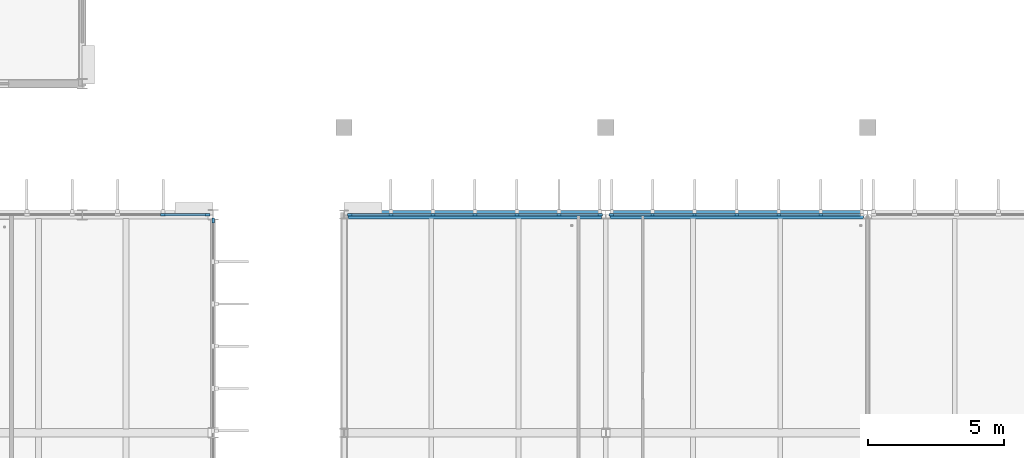
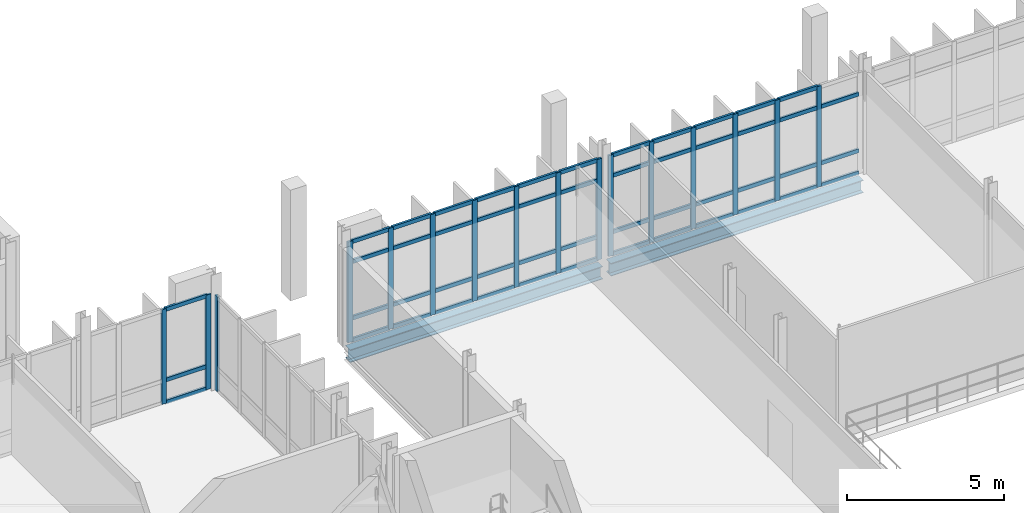
# One storey, part 30 of 110: 66 members, 2 beams, 4 elements without a shape of their own.
"""IFC4 building model written with IfcOpenShell, lengths in metres."""

from ifc_helpers import new_model, si_unit, direction, frame, origin, origin_2d, place, context, subcontext, project, spatial, rectangle, i_section, extrude, material, material_profile, profile_set, type_object, element, aggregate, save


model = new_model("IFC4")

# Units and contexts
model_context = context("Model", 3, precision=1e-05, world=origin(), true_north=direction((0.0, 1.0)))
body_context = subcontext(model_context, "Body", "Model", "MODEL_VIEW")
ifc_project = project(units=[si_unit("LENGTHUNIT", "METRE"), si_unit("AREAUNIT", "SQUARE_METRE"), si_unit("VOLUMEUNIT", "CUBIC_METRE"), si_unit("PLANEANGLEUNIT", "RADIAN"), si_unit("MASSUNIT", "GRAM", prefix="KILO")], contexts=[model_context])

# Site, building, storey
site_placement = place(None, origin())
site = spatial("IfcSite", under=ifc_project, at=site_placement, CompositionType="ELEMENT")
building_placement = place(site_placement, origin())
building = spatial("IfcBuilding", under=site, at=building_placement, Name="Dunescarp Central Library", CompositionType="ELEMENT")
storey_placement = place(building_placement, frame((0.0, 0.0, 9.60009765625)))
storey = spatial("IfcBuildingStorey", under=building, at=storey_placement, Name="L02", CompositionType="ELEMENT", Elevation=9.60009765625)

# Curtain wall, members
ifc_material_1 = material(Name="Marine-grade anodised aluminium 6063-T6", Category="aluminium")
curtain_wall_type = type_object("IfcCurtainWallType", Name="ARC-CW-STICK", PredefinedType="NOTDEFINED", material=ifc_material_1)
curtain_wall_1_placement = place(storey_placement, origin())
curtain_wall_1 = element("IfcCurtainWall", 1, at=curtain_wall_1_placement, inside=storey, type_object=curtain_wall_type, Name="L02 curtain wall CW-V1-014", PredefinedType="NOTDEFINED")
ifc_material_profile_1 = material_profile(ifc_material_1, rectangle(XDim=0.080078125, YDim=0.179931640625, at=origin_2d()), Name="AL 80x180")
ifc_profile_set_1 = profile_set([ifc_material_profile_1], Name="Marine-grade anodised aluminium 6063-T6")
member_type_1 = type_object("IfcMemberType", Name="ARC-CWM-180", PredefinedType="MULLION", material=ifc_profile_set_1)
member_1_placement = place(storey_placement, frame((31.7607421875, 36.800048828125, 0.0), z_axis=(0.0, 0.0, 1.0), x_axis=(0.0, 1.0, 0.0)))
member_1 = element("IfcMember", 2, at=member_1_placement, type_object=member_type_1, Name="CW-V1-014 mullion 7", PredefinedType="MULLION", context=body_context, shape_type="SweptSolid", body=[
    extrude(rectangle(XDim=0.080078125, YDim=0.179931640625, at=origin_2d()), origin(), (0.0, 0.0, 1.0), 3.684814453125),
])
member_2_placement = place(storey_placement, frame((33.385009765625, 36.800048828125, 0.0), z_axis=(0.0, 0.0, 1.0), x_axis=(0.0, 1.0, 0.0)))
member_2 = element("IfcMember", 3, at=member_2_placement, type_object=member_type_1, Name="CW-V1-014 mullion 8", PredefinedType="MULLION", context=body_context, shape_type="SweptSolid", body=[
    extrude(rectangle(XDim=0.080078125, YDim=0.179931640625, at=origin_2d()), origin(), (0.0, 0.0, 1.0), 3.684814453125),
])

# Curtain wall, member
curtain_wall_2_placement = place(storey_placement, origin())
curtain_wall_2 = element("IfcCurtainWall", 4, at=curtain_wall_2_placement, inside=storey, type_object=curtain_wall_type, Name="L02 curtain wall CW-V1-017", PredefinedType="NOTDEFINED")
member_3_placement = place(storey_placement, frame((33.60009765625, 36.5849609375, 0.0), z_axis=(0.0, 0.0, 1.0), x_axis=(1.0, 0.0, 0.0)))
member_3 = element("IfcMember", 5, at=member_3_placement, type_object=member_type_1, Name="CW-V1-017 mullion 1", PredefinedType="MULLION", context=body_context, shape_type="SweptSolid", body=[
    extrude(rectangle(XDim=0.080078125, YDim=0.179931640625, at=origin_2d()), origin(), (0.0, 0.0, 1.0), 3.684814453125),
])
aggregate(curtain_wall_2, [member_3])

# Curtain wall, members
curtain_wall_3_placement = place(storey_placement, origin())
curtain_wall_3 = element("IfcCurtainWall", 6, at=curtain_wall_3_placement, inside=storey, type_object=curtain_wall_type, Name="L02 curtain wall CW-V2-057", PredefinedType="NOTDEFINED")
member_4_placement = place(storey_placement, frame((38.614990234375, 36.800048828125, 0.0), z_axis=(0.0, 0.0, 1.0), x_axis=(0.0, 1.0, 0.0)))
member_4 = element("IfcMember", 7, at=member_4_placement, type_object=member_type_1, Name="CW-V2-057 mullion 1", PredefinedType="MULLION", context=body_context, shape_type="SweptSolid", body=[
    extrude(rectangle(XDim=0.080078125, YDim=0.179931640625, at=origin_2d()), origin(), (0.0, 0.0, 1.0), 3.9248046875),
])
member_5_placement = place(storey_placement, frame((40.11669921875, 36.800048828125, 0.0), z_axis=(0.0, 0.0, 1.0), x_axis=(0.0, 1.0, 0.0)))
member_5 = element("IfcMember", 8, at=member_5_placement, type_object=member_type_1, Name="CW-V2-057 mullion 2", PredefinedType="MULLION", context=body_context, shape_type="SweptSolid", body=[
    extrude(rectangle(XDim=0.080078125, YDim=0.179931640625, at=origin_2d()), origin(), (0.0, 0.0, 1.0), 3.9248046875),
])
member_6_placement = place(storey_placement, frame((41.658447265625, 36.800048828125, 0.0), z_axis=(0.0, 0.0, 1.0), x_axis=(0.0, 1.0, 0.0)))
member_6 = element("IfcMember", 9, at=member_6_placement, type_object=member_type_1, Name="CW-V2-057 mullion 3", PredefinedType="MULLION", context=body_context, shape_type="SweptSolid", body=[
    extrude(rectangle(XDim=0.080078125, YDim=0.179931640625, at=origin_2d()), origin(), (0.0, 0.0, 1.0), 3.9248046875),
])
member_7_placement = place(storey_placement, frame((43.199951171875, 36.800048828125, 0.0), z_axis=(0.0, 0.0, 1.0), x_axis=(0.0, 1.0, 0.0)))
member_7 = element("IfcMember", 10, at=member_7_placement, type_object=member_type_1, Name="CW-V2-057 mullion 4", PredefinedType="MULLION", context=body_context, shape_type="SweptSolid", body=[
    extrude(rectangle(XDim=0.080078125, YDim=0.179931640625, at=origin_2d()), origin(), (0.0, 0.0, 1.0), 3.9248046875),
])
member_8_placement = place(storey_placement, frame((44.74169921875, 36.800048828125, 0.0), z_axis=(0.0, 0.0, 1.0), x_axis=(0.0, 1.0, 0.0)))
member_8 = element("IfcMember", 11, at=member_8_placement, type_object=member_type_1, Name="CW-V2-057 mullion 5", PredefinedType="MULLION", context=body_context, shape_type="SweptSolid", body=[
    extrude(rectangle(XDim=0.080078125, YDim=0.179931640625, at=origin_2d()), origin(), (0.0, 0.0, 1.0), 3.9248046875),
])
member_9_placement = place(storey_placement, frame((46.283447265625, 36.800048828125, 0.0), z_axis=(0.0, 0.0, 1.0), x_axis=(0.0, 1.0, 0.0)))
member_9 = element("IfcMember", 12, at=member_9_placement, type_object=member_type_1, Name="CW-V2-057 mullion 6", PredefinedType="MULLION", context=body_context, shape_type="SweptSolid", body=[
    extrude(rectangle(XDim=0.080078125, YDim=0.179931640625, at=origin_2d()), origin(), (0.0, 0.0, 1.0), 3.9248046875),
])
member_10_placement = place(storey_placement, frame((47.784912109375, 36.800048828125, 0.0), z_axis=(0.0, 0.0, 1.0), x_axis=(0.0, 1.0, 0.0)))
member_10 = element("IfcMember", 13, at=member_10_placement, type_object=member_type_1, Name="CW-V2-057 mullion 7", PredefinedType="MULLION", context=body_context, shape_type="SweptSolid", body=[
    extrude(rectangle(XDim=0.080078125, YDim=0.179931640625, at=origin_2d()), origin(), (0.0, 0.0, 1.0), 3.9248046875),
])

curtain_wall_4_placement = place(storey_placement, origin())
curtain_wall_4 = element("IfcCurtainWall", 14, at=curtain_wall_4_placement, inside=storey, type_object=curtain_wall_type, Name="L02 curtain wall CW-V2-058", PredefinedType="NOTDEFINED")
member_11_placement = place(storey_placement, frame((48.215087890625, 36.800048828125, 0.0), z_axis=(0.0, 0.0, 1.0), x_axis=(0.0, 1.0, 0.0)))
member_11 = element("IfcMember", 15, at=member_11_placement, type_object=member_type_1, Name="CW-V2-058 mullion 1", PredefinedType="MULLION", context=body_context, shape_type="SweptSolid", body=[
    extrude(rectangle(XDim=0.080078125, YDim=0.179931640625, at=origin_2d()), origin(), (0.0, 0.0, 1.0), 3.9248046875),
])
member_12_placement = place(storey_placement, frame((49.716552734375, 36.800048828125, 0.0), z_axis=(0.0, 0.0, 1.0), x_axis=(0.0, 1.0, 0.0)))
member_12 = element("IfcMember", 16, at=member_12_placement, type_object=member_type_1, Name="CW-V2-058 mullion 2", PredefinedType="MULLION", context=body_context, shape_type="SweptSolid", body=[
    extrude(rectangle(XDim=0.080078125, YDim=0.179931640625, at=origin_2d()), origin(), (0.0, 0.0, 1.0), 3.9248046875),
])
member_13_placement = place(storey_placement, frame((51.25830078125, 36.800048828125, 0.0), z_axis=(0.0, 0.0, 1.0), x_axis=(0.0, 1.0, 0.0)))
member_13 = element("IfcMember", 17, at=member_13_placement, type_object=member_type_1, Name="CW-V2-058 mullion 3", PredefinedType="MULLION", context=body_context, shape_type="SweptSolid", body=[
    extrude(rectangle(XDim=0.080078125, YDim=0.179931640625, at=origin_2d()), origin(), (0.0, 0.0, 1.0), 3.9248046875),
])
member_14_placement = place(storey_placement, frame((52.800048828125, 36.800048828125, 0.0), z_axis=(0.0, 0.0, 1.0), x_axis=(0.0, 1.0, 0.0)))
member_14 = element("IfcMember", 18, at=member_14_placement, type_object=member_type_1, Name="CW-V2-058 mullion 4", PredefinedType="MULLION", context=body_context, shape_type="SweptSolid", body=[
    extrude(rectangle(XDim=0.080078125, YDim=0.179931640625, at=origin_2d()), origin(), (0.0, 0.0, 1.0), 3.9248046875),
])
member_15_placement = place(storey_placement, frame((54.341552734375, 36.800048828125, 0.0), z_axis=(0.0, 0.0, 1.0), x_axis=(0.0, 1.0, 0.0)))
member_15 = element("IfcMember", 19, at=member_15_placement, type_object=member_type_1, Name="CW-V2-058 mullion 5", PredefinedType="MULLION", context=body_context, shape_type="SweptSolid", body=[
    extrude(rectangle(XDim=0.080078125, YDim=0.179931640625, at=origin_2d()), origin(), (0.0, 0.0, 1.0), 3.9248046875),
])
member_16_placement = place(storey_placement, frame((55.88330078125, 36.800048828125, 0.0), z_axis=(0.0, 0.0, 1.0), x_axis=(0.0, 1.0, 0.0)))
member_16 = element("IfcMember", 20, at=member_16_placement, type_object=member_type_1, Name="CW-V2-058 mullion 6", PredefinedType="MULLION", context=body_context, shape_type="SweptSolid", body=[
    extrude(rectangle(XDim=0.080078125, YDim=0.179931640625, at=origin_2d()), origin(), (0.0, 0.0, 1.0), 3.9248046875),
])

# Member
ifc_material_profile_2 = material_profile(ifc_material_1, rectangle(XDim=0.080078125, YDim=0.14990234375, at=origin_2d()), Name="AL 80x150")
ifc_profile_set_2 = profile_set([ifc_material_profile_2], Name="Marine-grade anodised aluminium 6063-T6")
member_type_2 = type_object("IfcMemberType", Name="ARC-CWT-150", PredefinedType="USERDEFINED", material=ifc_profile_set_2)
member_17_placement = place(storey_placement, frame((31.80078125, 36.800048828125, 0.039794921875), z_axis=(1.0, 0.0, 0.0), x_axis=(0.0, 1.0, 0.0)))
member_17 = element("IfcMember", 21, at=member_17_placement, type_object=member_type_2, Name="CW-V1-014 transom 7.1", ObjectType="TRANSOM", PredefinedType="USERDEFINED", context=body_context, shape_type="SweptSolid", body=[
    extrude(rectangle(XDim=0.080078125, YDim=0.14990234375, at=origin_2d()), origin(), (0.0, 0.0, 1.0), 1.544189453125),
])

member_18_placement = place(storey_placement, frame((31.80078125, 36.800048828125, 0.89990234375), z_axis=(1.0, 0.0, 0.0), x_axis=(0.0, 1.0, 0.0)))
member_18 = element("IfcMember", 22, at=member_18_placement, type_object=member_type_2, Name="CW-V1-014 transom 7.2", ObjectType="TRANSOM", PredefinedType="USERDEFINED", context=body_context, shape_type="SweptSolid", body=[
    extrude(rectangle(XDim=0.080078125, YDim=0.14990234375, at=origin_2d()), origin(), (0.0, 0.0, 1.0), 1.544189453125),
])

member_19_placement = place(storey_placement, frame((31.80078125, 36.800048828125, 3.64501953125), z_axis=(1.0, 0.0, 0.0), x_axis=(0.0, 1.0, 0.0)))
member_19 = element("IfcMember", 23, at=member_19_placement, type_object=member_type_2, Name="CW-V1-014 transom 7.3", ObjectType="TRANSOM", PredefinedType="USERDEFINED", context=body_context, shape_type="SweptSolid", body=[
    extrude(rectangle(XDim=0.080078125, YDim=0.14990234375, at=origin_2d()), origin(), (0.0, 0.0, 1.0), 1.544189453125),
])

aggregate(curtain_wall_1, [member_1, member_2, member_17, member_18, member_19])

member_20_placement = place(storey_placement, frame((38.655029296875, 36.800048828125, 0.039794921875), z_axis=(1.0, 0.0, 0.0), x_axis=(0.0, 1.0, 0.0)))
member_20 = element("IfcMember", 24, at=member_20_placement, type_object=member_type_2, Name="CW-V2-057 transom 1.1", ObjectType="TRANSOM", PredefinedType="USERDEFINED", context=body_context, shape_type="SweptSolid", body=[
    extrude(rectangle(XDim=0.080078125, YDim=0.14990234375, at=origin_2d()), origin(), (0.0, 0.0, 1.0), 1.421630859375),
])

member_21_placement = place(storey_placement, frame((38.655029296875, 36.800048828125, 0.89990234375), z_axis=(1.0, 0.0, 0.0), x_axis=(0.0, 1.0, 0.0)))
member_21 = element("IfcMember", 25, at=member_21_placement, type_object=member_type_2, Name="CW-V2-057 transom 1.2", ObjectType="TRANSOM", PredefinedType="USERDEFINED", context=body_context, shape_type="SweptSolid", body=[
    extrude(rectangle(XDim=0.080078125, YDim=0.14990234375, at=origin_2d()), origin(), (0.0, 0.0, 1.0), 1.421630859375),
])

member_22_placement = place(storey_placement, frame((38.655029296875, 36.800048828125, 3.099853515625), z_axis=(1.0, 0.0, 0.0), x_axis=(0.0, 1.0, 0.0)))
member_22 = element("IfcMember", 26, at=member_22_placement, type_object=member_type_2, Name="CW-V2-057 transom 1.3", ObjectType="TRANSOM", PredefinedType="USERDEFINED", context=body_context, shape_type="SweptSolid", body=[
    extrude(rectangle(XDim=0.080078125, YDim=0.14990234375, at=origin_2d()), origin(), (0.0, 0.0, 1.0), 1.421630859375),
])

member_23_placement = place(storey_placement, frame((38.655029296875, 36.800048828125, 3.885009765625), z_axis=(1.0, 0.0, 0.0), x_axis=(0.0, 1.0, 0.0)))
member_23 = element("IfcMember", 27, at=member_23_placement, type_object=member_type_2, Name="CW-V2-057 transom 1.4", ObjectType="TRANSOM", PredefinedType="USERDEFINED", context=body_context, shape_type="SweptSolid", body=[
    extrude(rectangle(XDim=0.080078125, YDim=0.14990234375, at=origin_2d()), origin(), (0.0, 0.0, 1.0), 1.421630859375),
])

member_24_placement = place(storey_placement, frame((40.15673828125, 36.800048828125, 0.039794921875), z_axis=(1.0, 0.0, 0.0), x_axis=(0.0, 1.0, 0.0)))
member_24 = element("IfcMember", 28, at=member_24_placement, type_object=member_type_2, Name="CW-V2-057 transom 2.1", ObjectType="TRANSOM", PredefinedType="USERDEFINED", context=body_context, shape_type="SweptSolid", body=[
    extrude(rectangle(XDim=0.080078125, YDim=0.14990234375, at=origin_2d()), origin(), (0.0, 0.0, 1.0), 1.461669921875),
])

member_25_placement = place(storey_placement, frame((40.15673828125, 36.800048828125, 0.89990234375), z_axis=(1.0, 0.0, 0.0), x_axis=(0.0, 1.0, 0.0)))
member_25 = element("IfcMember", 29, at=member_25_placement, type_object=member_type_2, Name="CW-V2-057 transom 2.2", ObjectType="TRANSOM", PredefinedType="USERDEFINED", context=body_context, shape_type="SweptSolid", body=[
    extrude(rectangle(XDim=0.080078125, YDim=0.14990234375, at=origin_2d()), origin(), (0.0, 0.0, 1.0), 1.461669921875),
])

member_26_placement = place(storey_placement, frame((40.15673828125, 36.800048828125, 3.099853515625), z_axis=(1.0, 0.0, 0.0), x_axis=(0.0, 1.0, 0.0)))
member_26 = element("IfcMember", 30, at=member_26_placement, type_object=member_type_2, Name="CW-V2-057 transom 2.3", ObjectType="TRANSOM", PredefinedType="USERDEFINED", context=body_context, shape_type="SweptSolid", body=[
    extrude(rectangle(XDim=0.080078125, YDim=0.14990234375, at=origin_2d()), origin(), (0.0, 0.0, 1.0), 1.461669921875),
])

member_27_placement = place(storey_placement, frame((40.15673828125, 36.800048828125, 3.885009765625), z_axis=(1.0, 0.0, 0.0), x_axis=(0.0, 1.0, 0.0)))
member_27 = element("IfcMember", 31, at=member_27_placement, type_object=member_type_2, Name="CW-V2-057 transom 2.4", ObjectType="TRANSOM", PredefinedType="USERDEFINED", context=body_context, shape_type="SweptSolid", body=[
    extrude(rectangle(XDim=0.080078125, YDim=0.14990234375, at=origin_2d()), origin(), (0.0, 0.0, 1.0), 1.461669921875),
])

member_28_placement = place(storey_placement, frame((41.6982421875, 36.800048828125, 0.039794921875), z_axis=(1.0, 0.0, 0.0), x_axis=(0.0, 1.0, 0.0)))
member_28 = element("IfcMember", 32, at=member_28_placement, type_object=member_type_2, Name="CW-V2-057 transom 3.1", ObjectType="TRANSOM", PredefinedType="USERDEFINED", context=body_context, shape_type="SweptSolid", body=[
    extrude(rectangle(XDim=0.080078125, YDim=0.14990234375, at=origin_2d()), origin(), (0.0, 0.0, 1.0), 1.461669921875),
])

member_29_placement = place(storey_placement, frame((41.6982421875, 36.800048828125, 0.89990234375), z_axis=(1.0, 0.0, 0.0), x_axis=(0.0, 1.0, 0.0)))
member_29 = element("IfcMember", 33, at=member_29_placement, type_object=member_type_2, Name="CW-V2-057 transom 3.2", ObjectType="TRANSOM", PredefinedType="USERDEFINED", context=body_context, shape_type="SweptSolid", body=[
    extrude(rectangle(XDim=0.080078125, YDim=0.14990234375, at=origin_2d()), origin(), (0.0, 0.0, 1.0), 1.461669921875),
])

member_30_placement = place(storey_placement, frame((41.6982421875, 36.800048828125, 3.099853515625), z_axis=(1.0, 0.0, 0.0), x_axis=(0.0, 1.0, 0.0)))
member_30 = element("IfcMember", 34, at=member_30_placement, type_object=member_type_2, Name="CW-V2-057 transom 3.3", ObjectType="TRANSOM", PredefinedType="USERDEFINED", context=body_context, shape_type="SweptSolid", body=[
    extrude(rectangle(XDim=0.080078125, YDim=0.14990234375, at=origin_2d()), origin(), (0.0, 0.0, 1.0), 1.461669921875),
])

member_31_placement = place(storey_placement, frame((41.6982421875, 36.800048828125, 3.885009765625), z_axis=(1.0, 0.0, 0.0), x_axis=(0.0, 1.0, 0.0)))
member_31 = element("IfcMember", 35, at=member_31_placement, type_object=member_type_2, Name="CW-V2-057 transom 3.4", ObjectType="TRANSOM", PredefinedType="USERDEFINED", context=body_context, shape_type="SweptSolid", body=[
    extrude(rectangle(XDim=0.080078125, YDim=0.14990234375, at=origin_2d()), origin(), (0.0, 0.0, 1.0), 1.461669921875),
])

member_32_placement = place(storey_placement, frame((43.239990234375, 36.800048828125, 0.039794921875), z_axis=(1.0, 0.0, 0.0), x_axis=(0.0, 1.0, 0.0)))
member_32 = element("IfcMember", 36, at=member_32_placement, type_object=member_type_2, Name="CW-V2-057 transom 4.1", ObjectType="TRANSOM", PredefinedType="USERDEFINED", context=body_context, shape_type="SweptSolid", body=[
    extrude(rectangle(XDim=0.080078125, YDim=0.14990234375, at=origin_2d()), origin(), (0.0, 0.0, 1.0), 1.461669921875),
])

member_33_placement = place(storey_placement, frame((43.239990234375, 36.800048828125, 0.89990234375), z_axis=(1.0, 0.0, 0.0), x_axis=(0.0, 1.0, 0.0)))
member_33 = element("IfcMember", 37, at=member_33_placement, type_object=member_type_2, Name="CW-V2-057 transom 4.2", ObjectType="TRANSOM", PredefinedType="USERDEFINED", context=body_context, shape_type="SweptSolid", body=[
    extrude(rectangle(XDim=0.080078125, YDim=0.14990234375, at=origin_2d()), origin(), (0.0, 0.0, 1.0), 1.461669921875),
])

member_34_placement = place(storey_placement, frame((43.239990234375, 36.800048828125, 3.099853515625), z_axis=(1.0, 0.0, 0.0), x_axis=(0.0, 1.0, 0.0)))
member_34 = element("IfcMember", 38, at=member_34_placement, type_object=member_type_2, Name="CW-V2-057 transom 4.3", ObjectType="TRANSOM", PredefinedType="USERDEFINED", context=body_context, shape_type="SweptSolid", body=[
    extrude(rectangle(XDim=0.080078125, YDim=0.14990234375, at=origin_2d()), origin(), (0.0, 0.0, 1.0), 1.461669921875),
])

member_35_placement = place(storey_placement, frame((43.239990234375, 36.800048828125, 3.885009765625), z_axis=(1.0, 0.0, 0.0), x_axis=(0.0, 1.0, 0.0)))
member_35 = element("IfcMember", 39, at=member_35_placement, type_object=member_type_2, Name="CW-V2-057 transom 4.4", ObjectType="TRANSOM", PredefinedType="USERDEFINED", context=body_context, shape_type="SweptSolid", body=[
    extrude(rectangle(XDim=0.080078125, YDim=0.14990234375, at=origin_2d()), origin(), (0.0, 0.0, 1.0), 1.461669921875),
])

member_36_placement = place(storey_placement, frame((44.78173828125, 36.800048828125, 0.039794921875), z_axis=(1.0, 0.0, 0.0), x_axis=(0.0, 1.0, 0.0)))
member_36 = element("IfcMember", 40, at=member_36_placement, type_object=member_type_2, Name="CW-V2-057 transom 5.1", ObjectType="TRANSOM", PredefinedType="USERDEFINED", context=body_context, shape_type="SweptSolid", body=[
    extrude(rectangle(XDim=0.080078125, YDim=0.14990234375, at=origin_2d()), origin(), (0.0, 0.0, 1.0), 1.461669921875),
])

member_37_placement = place(storey_placement, frame((44.78173828125, 36.800048828125, 0.89990234375), z_axis=(1.0, 0.0, 0.0), x_axis=(0.0, 1.0, 0.0)))
member_37 = element("IfcMember", 41, at=member_37_placement, type_object=member_type_2, Name="CW-V2-057 transom 5.2", ObjectType="TRANSOM", PredefinedType="USERDEFINED", context=body_context, shape_type="SweptSolid", body=[
    extrude(rectangle(XDim=0.080078125, YDim=0.14990234375, at=origin_2d()), origin(), (0.0, 0.0, 1.0), 1.461669921875),
])

member_38_placement = place(storey_placement, frame((44.78173828125, 36.800048828125, 3.099853515625), z_axis=(1.0, 0.0, 0.0), x_axis=(0.0, 1.0, 0.0)))
member_38 = element("IfcMember", 42, at=member_38_placement, type_object=member_type_2, Name="CW-V2-057 transom 5.3", ObjectType="TRANSOM", PredefinedType="USERDEFINED", context=body_context, shape_type="SweptSolid", body=[
    extrude(rectangle(XDim=0.080078125, YDim=0.14990234375, at=origin_2d()), origin(), (0.0, 0.0, 1.0), 1.461669921875),
])

member_39_placement = place(storey_placement, frame((44.78173828125, 36.800048828125, 3.885009765625), z_axis=(1.0, 0.0, 0.0), x_axis=(0.0, 1.0, 0.0)))
member_39 = element("IfcMember", 43, at=member_39_placement, type_object=member_type_2, Name="CW-V2-057 transom 5.4", ObjectType="TRANSOM", PredefinedType="USERDEFINED", context=body_context, shape_type="SweptSolid", body=[
    extrude(rectangle(XDim=0.080078125, YDim=0.14990234375, at=origin_2d()), origin(), (0.0, 0.0, 1.0), 1.461669921875),
])

member_40_placement = place(storey_placement, frame((46.3232421875, 36.800048828125, 0.039794921875), z_axis=(1.0, 0.0, 0.0), x_axis=(0.0, 1.0, 0.0)))
member_40 = element("IfcMember", 44, at=member_40_placement, type_object=member_type_2, Name="CW-V2-057 transom 6.1", ObjectType="TRANSOM", PredefinedType="USERDEFINED", context=body_context, shape_type="SweptSolid", body=[
    extrude(rectangle(XDim=0.080078125, YDim=0.14990234375, at=origin_2d()), origin(), (0.0, 0.0, 1.0), 1.421875),
])

member_41_placement = place(storey_placement, frame((46.3232421875, 36.800048828125, 0.89990234375), z_axis=(1.0, 0.0, 0.0), x_axis=(0.0, 1.0, 0.0)))
member_41 = element("IfcMember", 45, at=member_41_placement, type_object=member_type_2, Name="CW-V2-057 transom 6.2", ObjectType="TRANSOM", PredefinedType="USERDEFINED", context=body_context, shape_type="SweptSolid", body=[
    extrude(rectangle(XDim=0.080078125, YDim=0.14990234375, at=origin_2d()), origin(), (0.0, 0.0, 1.0), 1.421875),
])

member_42_placement = place(storey_placement, frame((46.3232421875, 36.800048828125, 3.099853515625), z_axis=(1.0, 0.0, 0.0), x_axis=(0.0, 1.0, 0.0)))
member_42 = element("IfcMember", 46, at=member_42_placement, type_object=member_type_2, Name="CW-V2-057 transom 6.3", ObjectType="TRANSOM", PredefinedType="USERDEFINED", context=body_context, shape_type="SweptSolid", body=[
    extrude(rectangle(XDim=0.080078125, YDim=0.14990234375, at=origin_2d()), origin(), (0.0, 0.0, 1.0), 1.421875),
])

member_43_placement = place(storey_placement, frame((46.3232421875, 36.800048828125, 3.885009765625), z_axis=(1.0, 0.0, 0.0), x_axis=(0.0, 1.0, 0.0)))
member_43 = element("IfcMember", 47, at=member_43_placement, type_object=member_type_2, Name="CW-V2-057 transom 6.4", ObjectType="TRANSOM", PredefinedType="USERDEFINED", context=body_context, shape_type="SweptSolid", body=[
    extrude(rectangle(XDim=0.080078125, YDim=0.14990234375, at=origin_2d()), origin(), (0.0, 0.0, 1.0), 1.421875),
])

aggregate(curtain_wall_3, [member_4, member_5, member_6, member_7, member_8, member_9, member_10, member_20, member_21, member_22, member_23, member_24, member_25, member_26, member_27, member_28, member_29, member_30, member_31, member_32, member_33, member_34, member_35, member_36, member_37, member_38, member_39, member_40, member_41, member_42, member_43])

member_44_placement = place(storey_placement, frame((48.2548828125, 36.800048828125, 0.039794921875), z_axis=(1.0, 0.0, 0.0), x_axis=(0.0, 1.0, 0.0)))
member_44 = element("IfcMember", 48, at=member_44_placement, type_object=member_type_2, Name="CW-V2-058 transom 1.1", ObjectType="TRANSOM", PredefinedType="USERDEFINED", context=body_context, shape_type="SweptSolid", body=[
    extrude(rectangle(XDim=0.080078125, YDim=0.14990234375, at=origin_2d()), origin(), (0.0, 0.0, 1.0), 1.421875),
])

member_45_placement = place(storey_placement, frame((48.2548828125, 36.800048828125, 0.89990234375), z_axis=(1.0, 0.0, 0.0), x_axis=(0.0, 1.0, 0.0)))
member_45 = element("IfcMember", 49, at=member_45_placement, type_object=member_type_2, Name="CW-V2-058 transom 1.2", ObjectType="TRANSOM", PredefinedType="USERDEFINED", context=body_context, shape_type="SweptSolid", body=[
    extrude(rectangle(XDim=0.080078125, YDim=0.14990234375, at=origin_2d()), origin(), (0.0, 0.0, 1.0), 1.421875),
])

member_46_placement = place(storey_placement, frame((48.2548828125, 36.800048828125, 3.099853515625), z_axis=(1.0, 0.0, 0.0), x_axis=(0.0, 1.0, 0.0)))
member_46 = element("IfcMember", 50, at=member_46_placement, type_object=member_type_2, Name="CW-V2-058 transom 1.3", ObjectType="TRANSOM", PredefinedType="USERDEFINED", context=body_context, shape_type="SweptSolid", body=[
    extrude(rectangle(XDim=0.080078125, YDim=0.14990234375, at=origin_2d()), origin(), (0.0, 0.0, 1.0), 1.421875),
])

member_47_placement = place(storey_placement, frame((48.2548828125, 36.800048828125, 3.885009765625), z_axis=(1.0, 0.0, 0.0), x_axis=(0.0, 1.0, 0.0)))
member_47 = element("IfcMember", 51, at=member_47_placement, type_object=member_type_2, Name="CW-V2-058 transom 1.4", ObjectType="TRANSOM", PredefinedType="USERDEFINED", context=body_context, shape_type="SweptSolid", body=[
    extrude(rectangle(XDim=0.080078125, YDim=0.14990234375, at=origin_2d()), origin(), (0.0, 0.0, 1.0), 1.421875),
])

member_48_placement = place(storey_placement, frame((49.756591796875, 36.800048828125, 0.039794921875), z_axis=(1.0, 0.0, 0.0), x_axis=(0.0, 1.0, 0.0)))
member_48 = element("IfcMember", 52, at=member_48_placement, type_object=member_type_2, Name="CW-V2-058 transom 2.1", ObjectType="TRANSOM", PredefinedType="USERDEFINED", context=body_context, shape_type="SweptSolid", body=[
    extrude(rectangle(XDim=0.080078125, YDim=0.14990234375, at=origin_2d()), origin(), (0.0, 0.0, 1.0), 1.461669921875),
])

member_49_placement = place(storey_placement, frame((49.756591796875, 36.800048828125, 0.89990234375), z_axis=(1.0, 0.0, 0.0), x_axis=(0.0, 1.0, 0.0)))
member_49 = element("IfcMember", 53, at=member_49_placement, type_object=member_type_2, Name="CW-V2-058 transom 2.2", ObjectType="TRANSOM", PredefinedType="USERDEFINED", context=body_context, shape_type="SweptSolid", body=[
    extrude(rectangle(XDim=0.080078125, YDim=0.14990234375, at=origin_2d()), origin(), (0.0, 0.0, 1.0), 1.461669921875),
])

member_50_placement = place(storey_placement, frame((49.756591796875, 36.800048828125, 3.099853515625), z_axis=(1.0, 0.0, 0.0), x_axis=(0.0, 1.0, 0.0)))
member_50 = element("IfcMember", 54, at=member_50_placement, type_object=member_type_2, Name="CW-V2-058 transom 2.3", ObjectType="TRANSOM", PredefinedType="USERDEFINED", context=body_context, shape_type="SweptSolid", body=[
    extrude(rectangle(XDim=0.080078125, YDim=0.14990234375, at=origin_2d()), origin(), (0.0, 0.0, 1.0), 1.461669921875),
])

member_51_placement = place(storey_placement, frame((49.756591796875, 36.800048828125, 3.885009765625), z_axis=(1.0, 0.0, 0.0), x_axis=(0.0, 1.0, 0.0)))
member_51 = element("IfcMember", 55, at=member_51_placement, type_object=member_type_2, Name="CW-V2-058 transom 2.4", ObjectType="TRANSOM", PredefinedType="USERDEFINED", context=body_context, shape_type="SweptSolid", body=[
    extrude(rectangle(XDim=0.080078125, YDim=0.14990234375, at=origin_2d()), origin(), (0.0, 0.0, 1.0), 1.461669921875),
])

member_52_placement = place(storey_placement, frame((51.29833984375, 36.800048828125, 0.039794921875), z_axis=(1.0, 0.0, 0.0), x_axis=(0.0, 1.0, 0.0)))
member_52 = element("IfcMember", 56, at=member_52_placement, type_object=member_type_2, Name="CW-V2-058 transom 3.1", ObjectType="TRANSOM", PredefinedType="USERDEFINED", context=body_context, shape_type="SweptSolid", body=[
    extrude(rectangle(XDim=0.080078125, YDim=0.14990234375, at=origin_2d()), origin(), (0.0, 0.0, 1.0), 1.461669921875),
])

member_53_placement = place(storey_placement, frame((51.29833984375, 36.800048828125, 0.89990234375), z_axis=(1.0, 0.0, 0.0), x_axis=(0.0, 1.0, 0.0)))
member_53 = element("IfcMember", 57, at=member_53_placement, type_object=member_type_2, Name="CW-V2-058 transom 3.2", ObjectType="TRANSOM", PredefinedType="USERDEFINED", context=body_context, shape_type="SweptSolid", body=[
    extrude(rectangle(XDim=0.080078125, YDim=0.14990234375, at=origin_2d()), origin(), (0.0, 0.0, 1.0), 1.461669921875),
])

member_54_placement = place(storey_placement, frame((51.29833984375, 36.800048828125, 3.099853515625), z_axis=(1.0, 0.0, 0.0), x_axis=(0.0, 1.0, 0.0)))
member_54 = element("IfcMember", 58, at=member_54_placement, type_object=member_type_2, Name="CW-V2-058 transom 3.3", ObjectType="TRANSOM", PredefinedType="USERDEFINED", context=body_context, shape_type="SweptSolid", body=[
    extrude(rectangle(XDim=0.080078125, YDim=0.14990234375, at=origin_2d()), origin(), (0.0, 0.0, 1.0), 1.461669921875),
])

member_55_placement = place(storey_placement, frame((51.29833984375, 36.800048828125, 3.885009765625), z_axis=(1.0, 0.0, 0.0), x_axis=(0.0, 1.0, 0.0)))
member_55 = element("IfcMember", 59, at=member_55_placement, type_object=member_type_2, Name="CW-V2-058 transom 3.4", ObjectType="TRANSOM", PredefinedType="USERDEFINED", context=body_context, shape_type="SweptSolid", body=[
    extrude(rectangle(XDim=0.080078125, YDim=0.14990234375, at=origin_2d()), origin(), (0.0, 0.0, 1.0), 1.461669921875),
])

member_56_placement = place(storey_placement, frame((52.840087890625, 36.800048828125, 0.039794921875), z_axis=(1.0, 0.0, 0.0), x_axis=(0.0, 1.0, 0.0)))
member_56 = element("IfcMember", 60, at=member_56_placement, type_object=member_type_2, Name="CW-V2-058 transom 4.1", ObjectType="TRANSOM", PredefinedType="USERDEFINED", context=body_context, shape_type="SweptSolid", body=[
    extrude(rectangle(XDim=0.080078125, YDim=0.14990234375, at=origin_2d()), origin(), (0.0, 0.0, 1.0), 1.461669921875),
])

member_57_placement = place(storey_placement, frame((52.840087890625, 36.800048828125, 0.89990234375), z_axis=(1.0, 0.0, 0.0), x_axis=(0.0, 1.0, 0.0)))
member_57 = element("IfcMember", 61, at=member_57_placement, type_object=member_type_2, Name="CW-V2-058 transom 4.2", ObjectType="TRANSOM", PredefinedType="USERDEFINED", context=body_context, shape_type="SweptSolid", body=[
    extrude(rectangle(XDim=0.080078125, YDim=0.14990234375, at=origin_2d()), origin(), (0.0, 0.0, 1.0), 1.461669921875),
])

member_58_placement = place(storey_placement, frame((52.840087890625, 36.800048828125, 3.099853515625), z_axis=(1.0, 0.0, 0.0), x_axis=(0.0, 1.0, 0.0)))
member_58 = element("IfcMember", 62, at=member_58_placement, type_object=member_type_2, Name="CW-V2-058 transom 4.3", ObjectType="TRANSOM", PredefinedType="USERDEFINED", context=body_context, shape_type="SweptSolid", body=[
    extrude(rectangle(XDim=0.080078125, YDim=0.14990234375, at=origin_2d()), origin(), (0.0, 0.0, 1.0), 1.461669921875),
])

member_59_placement = place(storey_placement, frame((52.840087890625, 36.800048828125, 3.885009765625), z_axis=(1.0, 0.0, 0.0), x_axis=(0.0, 1.0, 0.0)))
member_59 = element("IfcMember", 63, at=member_59_placement, type_object=member_type_2, Name="CW-V2-058 transom 4.4", ObjectType="TRANSOM", PredefinedType="USERDEFINED", context=body_context, shape_type="SweptSolid", body=[
    extrude(rectangle(XDim=0.080078125, YDim=0.14990234375, at=origin_2d()), origin(), (0.0, 0.0, 1.0), 1.461669921875),
])

member_60_placement = place(storey_placement, frame((54.381591796875, 36.800048828125, 0.039794921875), z_axis=(1.0, 0.0, 0.0), x_axis=(0.0, 1.0, 0.0)))
member_60 = element("IfcMember", 64, at=member_60_placement, type_object=member_type_2, Name="CW-V2-058 transom 5.1", ObjectType="TRANSOM", PredefinedType="USERDEFINED", context=body_context, shape_type="SweptSolid", body=[
    extrude(rectangle(XDim=0.080078125, YDim=0.14990234375, at=origin_2d()), origin(), (0.0, 0.0, 1.0), 1.461669921875),
])

member_61_placement = place(storey_placement, frame((54.381591796875, 36.800048828125, 0.89990234375), z_axis=(1.0, 0.0, 0.0), x_axis=(0.0, 1.0, 0.0)))
member_61 = element("IfcMember", 65, at=member_61_placement, type_object=member_type_2, Name="CW-V2-058 transom 5.2", ObjectType="TRANSOM", PredefinedType="USERDEFINED", context=body_context, shape_type="SweptSolid", body=[
    extrude(rectangle(XDim=0.080078125, YDim=0.14990234375, at=origin_2d()), origin(), (0.0, 0.0, 1.0), 1.461669921875),
])

member_62_placement = place(storey_placement, frame((54.381591796875, 36.800048828125, 3.099853515625), z_axis=(1.0, 0.0, 0.0), x_axis=(0.0, 1.0, 0.0)))
member_62 = element("IfcMember", 66, at=member_62_placement, type_object=member_type_2, Name="CW-V2-058 transom 5.3", ObjectType="TRANSOM", PredefinedType="USERDEFINED", context=body_context, shape_type="SweptSolid", body=[
    extrude(rectangle(XDim=0.080078125, YDim=0.14990234375, at=origin_2d()), origin(), (0.0, 0.0, 1.0), 1.461669921875),
])

member_63_placement = place(storey_placement, frame((54.381591796875, 36.800048828125, 3.885009765625), z_axis=(1.0, 0.0, 0.0), x_axis=(0.0, 1.0, 0.0)))
member_63 = element("IfcMember", 67, at=member_63_placement, type_object=member_type_2, Name="CW-V2-058 transom 5.4", ObjectType="TRANSOM", PredefinedType="USERDEFINED", context=body_context, shape_type="SweptSolid", body=[
    extrude(rectangle(XDim=0.080078125, YDim=0.14990234375, at=origin_2d()), origin(), (0.0, 0.0, 1.0), 1.461669921875),
])

member_64_placement = place(storey_placement, frame((55.92333984375, 36.800048828125, 0.039794921875), z_axis=(1.0, 0.0, 0.0), x_axis=(0.0, 1.0, 0.0)))
member_64 = element("IfcMember", 68, at=member_64_placement, type_object=member_type_2, Name="CW-V2-058 transom 6.1", ObjectType="TRANSOM", PredefinedType="USERDEFINED", context=body_context, shape_type="SweptSolid", body=[
    extrude(rectangle(XDim=0.080078125, YDim=0.14990234375, at=origin_2d()), origin(), (0.0, 0.0, 1.0), 1.421630859375),
])

member_65_placement = place(storey_placement, frame((55.92333984375, 36.800048828125, 0.89990234375), z_axis=(1.0, 0.0, 0.0), x_axis=(0.0, 1.0, 0.0)))
member_65 = element("IfcMember", 69, at=member_65_placement, type_object=member_type_2, Name="CW-V2-058 transom 6.2", ObjectType="TRANSOM", PredefinedType="USERDEFINED", context=body_context, shape_type="SweptSolid", body=[
    extrude(rectangle(XDim=0.080078125, YDim=0.14990234375, at=origin_2d()), origin(), (0.0, 0.0, 1.0), 1.421630859375),
])

member_66_placement = place(storey_placement, frame((55.92333984375, 36.800048828125, 3.099853515625), z_axis=(1.0, 0.0, 0.0), x_axis=(0.0, 1.0, 0.0)))
member_66 = element("IfcMember", 70, at=member_66_placement, type_object=member_type_2, Name="CW-V2-058 transom 6.3", ObjectType="TRANSOM", PredefinedType="USERDEFINED", context=body_context, shape_type="SweptSolid", body=[
    extrude(rectangle(XDim=0.080078125, YDim=0.14990234375, at=origin_2d()), origin(), (0.0, 0.0, 1.0), 1.421630859375),
])

aggregate(curtain_wall_4, [member_11, member_12, member_13, member_14, member_15, member_16, member_44, member_45, member_46, member_47, member_48, member_49, member_50, member_51, member_52, member_53, member_54, member_55, member_56, member_57, member_58, member_59, member_60, member_61, member_62, member_63, member_64, member_65, member_66])

# Beams
ifc_material_2 = material(Name="Steel S355JR", Category="steel")
ifc_material_profile_3 = material_profile(ifc_material_2, i_section(OverallWidth=0.300048828125, OverallDepth=0.5, WebThickness=0.014404296875, FlangeThickness=0.028076171875, at=origin_2d()), Name="HEB 500")
ifc_profile_set_3 = profile_set([ifc_material_profile_3], Name="Steel S355JR")
beam_type = type_object("IfcBeamType", Name="STR-BM-HEB500", PredefinedType="BEAM", material=ifc_profile_set_3)
for number, where, z_axis, x_axis, name in (
    (71, (38.552001953125, 36.800048828125, -0.460205078125), (1.0, 0.0, 0.0), (0.0, 1.0, 0.0), "L02 girder BM-L02-0419"),
    (72, (48.152099609375, 36.800048828125, -0.460205078125), (1.0, 0.0, 0.0), (0.0, 1.0, 0.0), "L02 girder BM-L02-0434"),
):
    element("IfcBeam", number, at=place(storey_placement, frame(where, z_axis=z_axis, x_axis=x_axis)), inside=storey, type_object=beam_type, Name=name, PredefinedType="BEAM", context=body_context, shape_type="SweptSolid", body=[
        extrude(i_section(OverallWidth=0.300048828125, OverallDepth=0.5, WebThickness=0.014404296875, FlangeThickness=0.028076171875, at=origin_2d()), origin(), (0.0, 0.0, 1.0), 9.2958984375),
    ])

save(model, "model.ifc")
